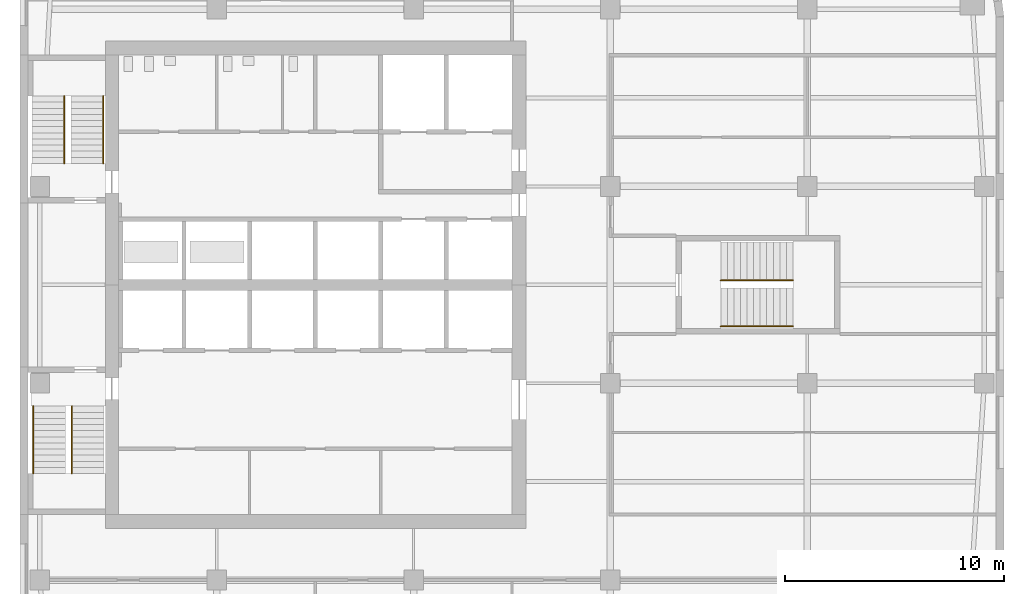
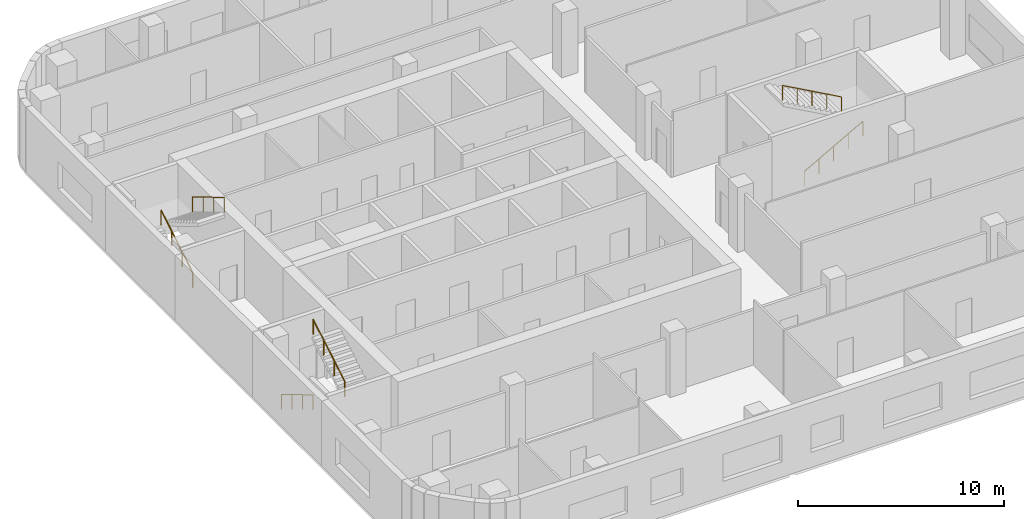
# One storey, part 7 of 9: 6 railings, 3 elements without a shape of their own.
"""IFC4 building model written with IfcOpenShell, lengths in metres."""

from ifc_helpers import new_model, si_unit, direction, frame, origin, origin_2d, place, context, subcontext, project, spatial, circle, extrude, material, type_object, element, aggregate, save


model = new_model("IFC4")

# Units and contexts
model_context = context("Model", 3, precision=1e-05, world=origin(), true_north=direction((0.0, 1.0)))
body_context = subcontext(model_context, "Body", "Model", "MODEL_VIEW")
ifc_project = project(units=[si_unit("LENGTHUNIT", "METRE"), si_unit("AREAUNIT", "SQUARE_METRE"), si_unit("VOLUMEUNIT", "CUBIC_METRE"), si_unit("PLANEANGLEUNIT", "RADIAN"), si_unit("MASSUNIT", "GRAM", prefix="KILO")], contexts=[model_context])

# Site, building, storey
site_placement = place(None, origin())
site = spatial("IfcSite", under=ifc_project, at=site_placement, CompositionType="ELEMENT")
building_placement = place(site_placement, origin())
building = spatial("IfcBuilding", under=site, at=building_placement, Name="Cinnabar Reach Civic Tower", CompositionType="ELEMENT")
storey_placement = place(building_placement, frame((0.0, 0.0, 153.0)))
storey = spatial("IfcBuildingStorey", under=building, at=storey_placement, Name="L36", CompositionType="ELEMENT", Elevation=153.0)

# Stair, railings
ifc_material_1 = material(Name="Concrete C40/50", Category="concrete")
stair_type = type_object("IfcStairType", Name="T1 Exit stair, half-turn", PredefinedType="HALF_TURN_STAIR", material=ifc_material_1)
stair_1_placement = place(storey_placement, origin())
stair_1 = element("IfcStair", 1, at=stair_1_placement, inside=storey, type_object=stair_type, Name="Stair T1-S1", PredefinedType="HALF_TURN_STAIR")
ifc_material_2 = material(Name="Stainless steel tube", Category="steel")
railing_type = type_object("IfcRailingType", Name="T1 Stair handrail, stainless tube 48", PredefinedType="HANDRAIL", material=ifc_material_2)
railing_1_placement = place(storey_placement, frame((0.6, 25.95, 0.1667)))
railing_1 = element("IfcRailing", 2, at=railing_1_placement, type_object=railing_type, Name="T1-S1 handrail 1", PredefinedType="HANDRAIL", context=body_context, shape_type="SweptSolid", body=[
    extrude(circle(Radius=0.024, at=origin_2d()), frame((0.0, 0.0, 0.876), z_axis=(0.0, -0.859296971757, 0.511476992962), x_axis=(1.0, 0.0, 0.0)), (0.0, 0.0, 1.0), 3.5843),
    extrude(circle(Radius=0.021, at=origin_2d()), origin(), (0.0, 0.0, 1.0), 0.852),
    extrude(circle(Radius=0.021, at=origin_2d()), frame((0.0, -1.0267, 0.6111)), (0.0, 0.0, 1.0), 0.852),
    extrude(circle(Radius=0.021, at=origin_2d()), frame((0.0, -2.0533, 1.2222)), (0.0, 0.0, 1.0), 0.852),
    extrude(circle(Radius=0.021, at=origin_2d()), frame((0.0, -3.08, 1.8333)), (0.0, 0.0, 1.0), 0.852),
])
railing_2_placement = place(storey_placement, frame((2.375, 22.87, 2.1667)))
railing_2 = element("IfcRailing", 3, at=railing_2_placement, type_object=railing_type, Name="T1-S1 handrail 2", PredefinedType="HANDRAIL", context=body_context, shape_type="SweptSolid", body=[
    extrude(circle(Radius=0.024, at=origin_2d()), frame((0.0, 0.0, 0.876), z_axis=(0.0, 0.859296971757, 0.511476992962), x_axis=(-1.0, 0.0, 0.0)), (0.0, 0.0, 1.0), 3.5843),
    extrude(circle(Radius=0.021, at=origin_2d()), origin(), (0.0, 0.0, 1.0), 0.852),
    extrude(circle(Radius=0.021, at=origin_2d()), frame((0.0, 1.0267, 0.6111)), (0.0, 0.0, 1.0), 0.852),
    extrude(circle(Radius=0.021, at=origin_2d()), frame((0.0, 2.0533, 1.2222)), (0.0, 0.0, 1.0), 0.852),
    extrude(circle(Radius=0.021, at=origin_2d()), frame((0.0, 3.08, 1.8333)), (0.0, 0.0, 1.0), 0.852),
])
aggregate(stair_1, [railing_1, railing_2])

stair_2_placement = place(storey_placement, origin())
stair_2 = element("IfcStair", 4, at=stair_2_placement, inside=storey, type_object=stair_type, Name="Stair T1-S2", PredefinedType="HALF_TURN_STAIR")
railing_3_placement = place(storey_placement, frame((2.025, 37.05, 0.1667)))
railing_3 = element("IfcRailing", 5, at=railing_3_placement, type_object=railing_type, Name="T1-S2 handrail 1", PredefinedType="HANDRAIL", context=body_context, shape_type="SweptSolid", body=[
    extrude(circle(Radius=0.024, at=origin_2d()), frame((0.0, 0.0, 0.876), z_axis=(0.0, 0.859296971757, 0.511476992962), x_axis=(-1.0, 0.0, 0.0)), (0.0, 0.0, 1.0), 3.5843),
    extrude(circle(Radius=0.021, at=origin_2d()), origin(), (0.0, 0.0, 1.0), 0.852),
    extrude(circle(Radius=0.021, at=origin_2d()), frame((0.0, 1.0267, 0.6111)), (0.0, 0.0, 1.0), 0.852),
    extrude(circle(Radius=0.021, at=origin_2d()), frame((0.0, 2.0533, 1.2222)), (0.0, 0.0, 1.0), 0.852),
    extrude(circle(Radius=0.021, at=origin_2d()), frame((0.0, 3.08, 1.8333)), (0.0, 0.0, 1.0), 0.852),
])
railing_4_placement = place(storey_placement, frame((3.8, 40.13, 2.1667)))
railing_4 = element("IfcRailing", 6, at=railing_4_placement, type_object=railing_type, Name="T1-S2 handrail 2", PredefinedType="HANDRAIL", context=body_context, shape_type="SweptSolid", body=[
    extrude(circle(Radius=0.024, at=origin_2d()), frame((0.0, 0.0, 0.876), z_axis=(0.0, -0.859296971757, 0.511476992962), x_axis=(1.0, 0.0, 0.0)), (0.0, 0.0, 1.0), 3.5843),
    extrude(circle(Radius=0.021, at=origin_2d()), origin(), (0.0, 0.0, 1.0), 0.852),
    extrude(circle(Radius=0.021, at=origin_2d()), frame((0.0, -1.0267, 0.6111)), (0.0, 0.0, 1.0), 0.852),
    extrude(circle(Radius=0.021, at=origin_2d()), frame((0.0, -2.0533, 1.2222)), (0.0, 0.0, 1.0), 0.852),
    extrude(circle(Radius=0.021, at=origin_2d()), frame((0.0, -3.08, 1.8333)), (0.0, 0.0, 1.0), 0.852),
])
aggregate(stair_2, [railing_3, railing_4])

stair_3_placement = place(storey_placement, origin())
stair_3 = element("IfcStair", 7, at=stair_3_placement, inside=storey, type_object=stair_type, Name="Stair T1-S3", PredefinedType="HALF_TURN_STAIR")
railing_5_placement = place(storey_placement, frame((32.05, 29.6, 0.1667)))
railing_5 = element("IfcRailing", 8, at=railing_5_placement, type_object=railing_type, Name="T1-S3 handrail 1", PredefinedType="HANDRAIL", context=body_context, shape_type="SweptSolid", body=[
    extrude(circle(Radius=0.024, at=origin_2d()), frame((0.0, 0.0, 0.876), z_axis=(0.874161024642, 0.0, 0.485636183781), x_axis=(0.0, 1.0, 0.0)), (0.0, 0.0, 1.0), 3.775),
    extrude(circle(Radius=0.021, at=origin_2d()), origin(), (0.0, 0.0, 1.0), 0.852),
    extrude(circle(Radius=0.021, at=origin_2d()), frame((0.825, 0.0, 0.4583)), (0.0, 0.0, 1.0), 0.852),
    extrude(circle(Radius=0.021, at=origin_2d()), frame((1.65, 0.0, 0.9167)), (0.0, 0.0, 1.0), 0.852),
    extrude(circle(Radius=0.021, at=origin_2d()), frame((2.475, 0.0, 1.375)), (0.0, 0.0, 1.0), 0.852),
    extrude(circle(Radius=0.021, at=origin_2d()), frame((3.3, 0.0, 1.8333)), (0.0, 0.0, 1.0), 0.852),
])
railing_6_placement = place(storey_placement, frame((35.35, 31.7, 2.1667)))
railing_6 = element("IfcRailing", 9, at=railing_6_placement, type_object=railing_type, Name="T1-S3 handrail 2", PredefinedType="HANDRAIL", context=body_context, shape_type="SweptSolid", body=[
    extrude(circle(Radius=0.024, at=origin_2d()), frame((0.0, 0.0, 0.876), z_axis=(-0.874161024642, 0.0, 0.485636183781), x_axis=(0.0, -1.0, 0.0)), (0.0, 0.0, 1.0), 3.775),
    extrude(circle(Radius=0.021, at=origin_2d()), origin(), (0.0, 0.0, 1.0), 0.852),
    extrude(circle(Radius=0.021, at=origin_2d()), frame((-0.825, 0.0, 0.4583)), (0.0, 0.0, 1.0), 0.852),
    extrude(circle(Radius=0.021, at=origin_2d()), frame((-1.65, 0.0, 0.9167)), (0.0, 0.0, 1.0), 0.852),
    extrude(circle(Radius=0.021, at=origin_2d()), frame((-2.475, 0.0, 1.375)), (0.0, 0.0, 1.0), 0.852),
    extrude(circle(Radius=0.021, at=origin_2d()), frame((-3.3, 0.0, 1.8333)), (0.0, 0.0, 1.0), 0.852),
])
aggregate(stair_3, [railing_5, railing_6])

save(model, "model.ifc")
